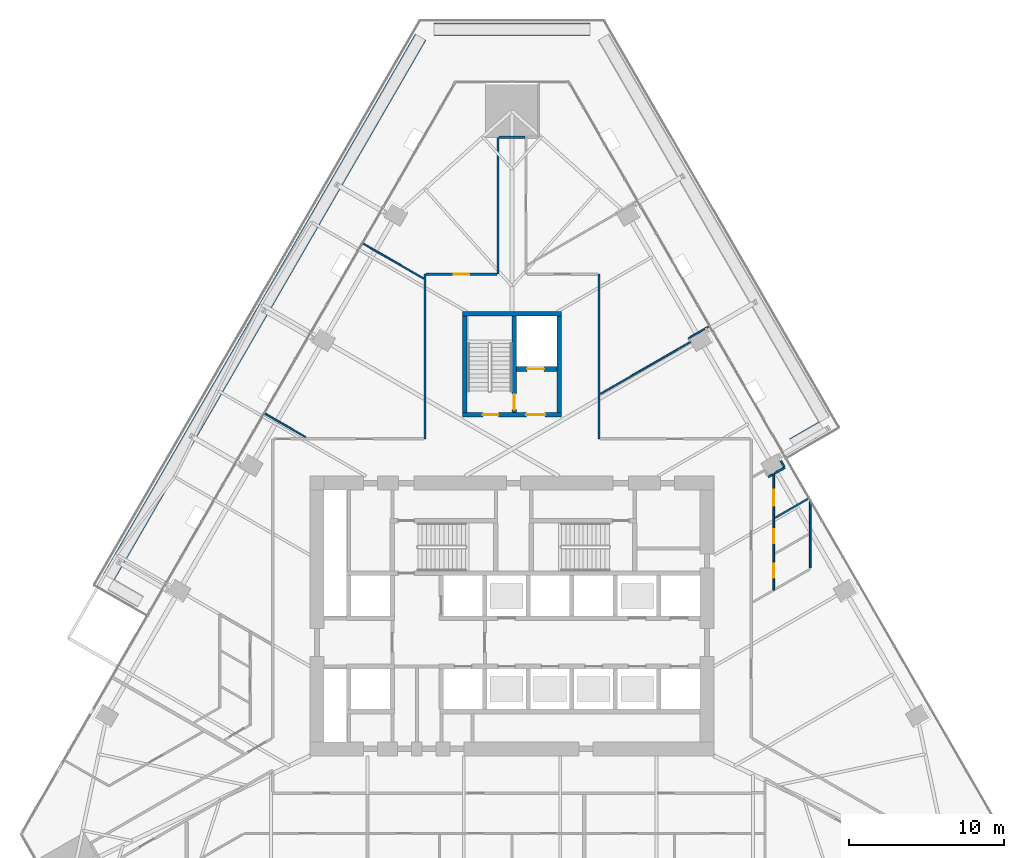
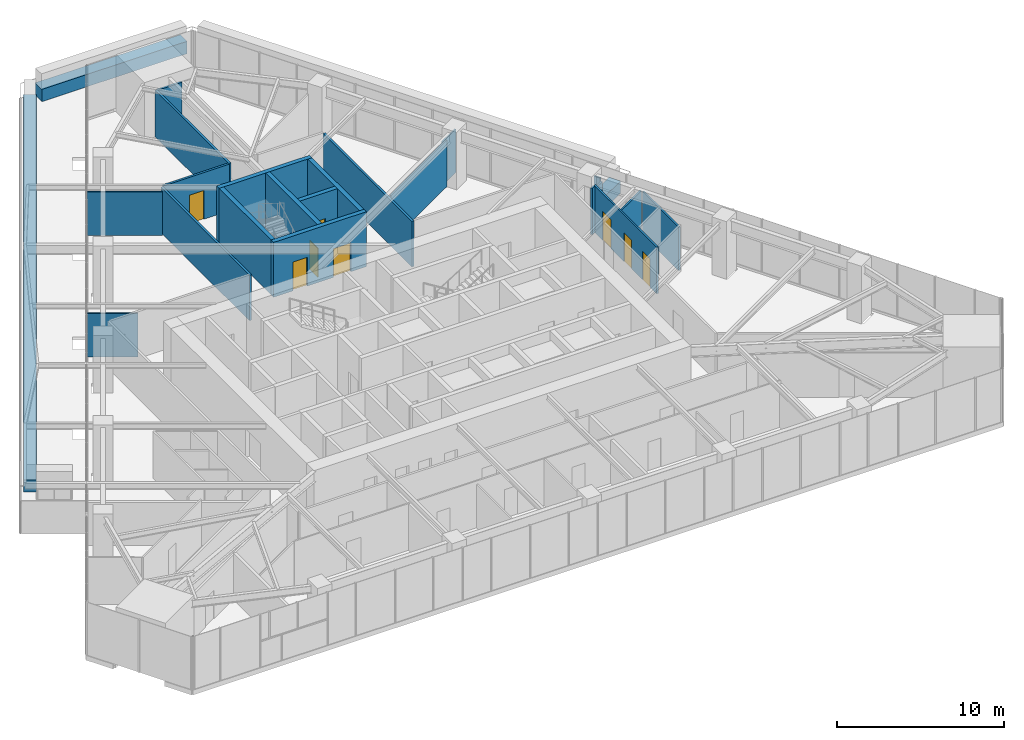
# One storey, part 21 of 26: 24 walls, 8 doors, 8 openings.
"""IFC4 building model written with IfcOpenShell, lengths in metres."""

from ifc_helpers import new_model, si_unit, direction, frame, frame_2d, origin, place, context, subcontext, project, spatial, rectangle, extrude, material, layer, layer_set, type_object, element, fill, save


model = new_model("IFC4")

# Units and contexts
model_context = context("Model", 3, precision=1e-05, world=origin(), true_north=direction((0.0, 1.0)))
body_context = subcontext(model_context, "Body", "Model", "MODEL_VIEW")
ifc_project = project(units=[si_unit("LENGTHUNIT", "METRE"), si_unit("AREAUNIT", "SQUARE_METRE"), si_unit("VOLUMEUNIT", "CUBIC_METRE"), si_unit("PLANEANGLEUNIT", "RADIAN"), si_unit("MASSUNIT", "GRAM", prefix="KILO")], contexts=[model_context])

# Site, building, storey
site_placement = place(None, origin())
site = spatial("IfcSite", under=ifc_project, at=site_placement, CompositionType="ELEMENT")
building_placement = place(site_placement, origin())
building = spatial("IfcBuilding", under=site, at=building_placement, Name="Firuza Gate Tower and Library", CompositionType="ELEMENT")
storey_placement = place(building_placement, frame((0.0, 0.0, 115.60009765625)))
storey = spatial("IfcBuildingStorey", under=building, at=storey_placement, Name="L26", CompositionType="ELEMENT", Elevation=115.60009765625)

# Wall, openings, doors
ifc_material_1 = material(Name="Concrete C80/95", Category="concrete")
ifc_layer_1 = layer(ifc_material_1, 0.300048828125)
ifc_layer_set_1 = layer_set([ifc_layer_1], Name="Core wall 300 C80/95")
wall_type_1 = type_object("IfcWallType", Name="Core wall 300 C80/95", PredefinedType="SHEAR", material=ifc_layer_set_1)
wall_1_placement = place(storey_placement, frame((71.800048828125, 87.949951171875, 0.0), z_axis=(0.0, 0.0, 1.0), x_axis=(1.0, 0.0, 0.0)))
wall_1 = element("IfcWall", 1, at=wall_1_placement, inside=storey, type_object=wall_type_1, Name="Core wall L26 34", PredefinedType="SHEAR", context=body_context, shape_type="SweptSolid", body=[
    extrude(rectangle(XDim=6.39990234375, YDim=0.300048828125, at=frame_2d((3.199951171875, 0.0))), origin(), (0.0, 0.0, 1.0), 4.0),
])
opening_1_placement = place(wall_1_placement, frame((1.324951171875, 0.0, 0.0)))
opening_1 = element("IfcOpeningElement", 2, at=opening_1_placement, cuts=wall_1, Name="Opening L26-K17", PredefinedType="OPENING", context=body_context, shape_type="SweptSolid", body=[
    extrude(rectangle(XDim=1.0, YDim=2.10009765625, at=frame_2d((0.5, 1.050048828125))), frame((0.0, 0.16015625, 0.0), z_axis=(0.0, -1.0, 0.0), x_axis=(1.0, 0.0, 0.0)), (0.0, 0.0, 1.0), 0.320068359375),
])
opening_2_placement = place(wall_1_placement, frame((4.125, 0.0, 0.0)))
opening_2 = element("IfcOpeningElement", 3, at=opening_2_placement, cuts=wall_1, Name="Opening L26-K19", PredefinedType="OPENING", context=body_context, shape_type="SweptSolid", body=[
    extrude(rectangle(XDim=1.199951171875, YDim=2.10009765625, at=frame_2d((0.60009765625, 1.050048828125))), frame((0.0, 0.16015625, 0.0), z_axis=(0.0, -1.0, 0.0), x_axis=(1.0, 0.0, 0.0)), (0.0, 0.0, 1.0), 0.320068359375),
])
ifc_material_2 = material(Name="Steel", Category="steel")
door_type_1 = type_object("IfcDoorType", Name="Fire door 1000x2100 FD90", OperationType="NOTDEFINED", PredefinedType="DOOR", material=ifc_material_2)
door_1_placement = place(opening_1_placement, origin())
door_1 = element("IfcDoor", 4, at=door_1_placement, inside=storey, type_object=door_type_1, Name="Door L26-K17", OperationType="SINGLE_SWING_RIGHT", OverallHeight=2.10009765625, OverallWidth=1.0, PredefinedType="DOOR", context=body_context, shape_type="SweptSolid", body=[
    extrude(rectangle(XDim=1.0, YDim=2.10009765625, at=frame_2d((0.5, 1.050048828125))), frame((0.0, 0.02490234375, 0.0), z_axis=(0.0, -1.0, 0.0), x_axis=(1.0, 0.0, 0.0)), (0.0, 0.0, 1.0), 0.050048828125),
])
fill(opening_1, door_1)
ifc_material_3 = material(Name="Steel", Category="steel")
door_type_2 = type_object("IfcDoorType", Name="Fire door 1200x2100 FD30S", OperationType="NOTDEFINED", PredefinedType="DOOR", material=ifc_material_3)
door_2_placement = place(opening_2_placement, origin())
door_2 = element("IfcDoor", 5, at=door_2_placement, inside=storey, type_object=door_type_2, Name="Door L26-K19", OperationType="SINGLE_SWING_RIGHT", OverallHeight=2.10009765625, OverallWidth=1.199951171875, PredefinedType="DOOR", context=body_context, shape_type="SweptSolid", body=[
    extrude(rectangle(XDim=1.199951171875, YDim=2.10009765625, at=frame_2d((0.60009765625, 1.050048828125))), frame((0.0, 0.02490234375, 0.0), z_axis=(0.0, -1.0, 0.0), x_axis=(1.0, 0.0, 0.0)), (0.0, 0.0, 1.0), 0.050048828125),
])
fill(opening_2, door_2)

# Walls
wall_2_placement = place(storey_placement, frame((71.800048828125, 94.449951171875, 0.0), z_axis=(0.0, 0.0, 1.0), x_axis=(1.0, 0.0, 0.0)))
element("IfcWall", 6, at=wall_2_placement, inside=storey, type_object=wall_type_1, Name="Core wall L26 35", PredefinedType="SHEAR", context=body_context, shape_type="SweptSolid", body=[
    extrude(rectangle(XDim=6.39990234375, YDim=0.300048828125, at=frame_2d((3.199951171875, 0.0))), origin(), (0.0, 0.0, 1.0), 4.0),
])
for number, where, z_axis, x_axis, name in (
    (7, (71.949951171875, 88.10009765625, 0.0), (0.0, 0.0, 1.0), (0.0, 1.0, 0.0), "Core wall L26 36"),
    (8, (78.050048828125, 88.10009765625, 0.0), (0.0, 0.0, 1.0), (0.0, 1.0, 0.0), "Core wall L26 37"),
):
    element("IfcWall", number, at=place(storey_placement, frame(where, z_axis=z_axis, x_axis=x_axis)), inside=storey, type_object=wall_type_1, Name=name, PredefinedType="SHEAR", context=body_context, shape_type="SweptSolid", body=[
        extrude(rectangle(XDim=6.199951171875, YDim=0.300048828125, at=frame_2d((3.10009765625, 0.0))), origin(), (0.0, 0.0, 1.0), 4.0),
    ])

# Wall, opening, door
wall_3_placement = place(storey_placement, frame((75.300048828125, 90.89990234375, 0.0), z_axis=(0.0, 0.0, 1.0), x_axis=(1.0, 0.0, 0.0)))
wall_3 = element("IfcWall", 9, at=wall_3_placement, inside=storey, type_object=wall_type_1, Name="Core wall L26 38", PredefinedType="SHEAR", context=body_context, shape_type="SweptSolid", body=[
    extrude(rectangle(XDim=2.599853515625, YDim=0.300048828125, at=frame_2d((1.2998046875, 0.0))), origin(), (0.0, 0.0, 1.0), 4.0),
])
opening_3_placement = place(wall_3_placement, frame((0.675048828125, 0.0, 0.0)))
opening_3 = element("IfcOpeningElement", 10, at=opening_3_placement, cuts=wall_3, Name="Opening LD-SV1-L26", PredefinedType="OPENING", context=body_context, shape_type="SweptSolid", body=[
    extrude(rectangle(XDim=1.10009765625, YDim=2.10009765625, at=frame_2d((0.550048828125, 1.050048828125))), frame((0.0, 0.16015625, 0.0), z_axis=(0.0, -1.0, 0.0), x_axis=(1.0, 0.0, 0.0)), (0.0, 0.0, 1.0), 0.320068359375),
])
ifc_material_4 = material(Name="Stainless steel", Category="steel")
door_type_3 = type_object("IfcDoorType", Name="Lift landing door 1100x2100", OperationType="DOUBLE_DOOR_SLIDING", PredefinedType="DOOR", material=ifc_material_4)
door_3_placement = place(opening_3_placement, origin())
door_3 = element("IfcDoor", 11, at=door_3_placement, inside=storey, type_object=door_type_3, Name="Landing door SV1 L26", OperationType="DOUBLE_DOOR_SLIDING", OverallHeight=2.10009765625, OverallWidth=1.10009765625, PredefinedType="DOOR", context=body_context, shape_type="SweptSolid", body=[
    extrude(rectangle(XDim=1.10009765625, YDim=2.10009765625, at=frame_2d((0.550048828125, 1.050048828125))), frame((0.0, 0.02490234375, 0.0), z_axis=(0.0, -1.0, 0.0), x_axis=(1.0, 0.0, 0.0)), (0.0, 0.0, 1.0), 0.050048828125),
])
fill(opening_3, door_3)

wall_4_placement = place(storey_placement, frame((75.14990234375, 88.10009765625, 0.0), z_axis=(0.0, 0.0, 1.0), x_axis=(0.0, 1.0, 0.0)))
wall_4 = element("IfcWall", 12, at=wall_4_placement, inside=storey, type_object=wall_type_1, Name="Core wall L26 39", PredefinedType="SHEAR", context=body_context, shape_type="SweptSolid", body=[
    extrude(rectangle(XDim=6.199951171875, YDim=0.300048828125, at=frame_2d((3.10009765625, 0.0))), origin(), (0.0, 0.0, 1.0), 4.0),
])
opening_4_placement = place(wall_4_placement, frame((0.18505859375, 0.0, 0.0)))
opening_4 = element("IfcOpeningElement", 13, at=opening_4_placement, cuts=wall_4, Name="Opening L26-K18", PredefinedType="OPENING", context=body_context, shape_type="SweptSolid", body=[
    extrude(rectangle(XDim=1.0, YDim=2.10009765625, at=frame_2d((0.5, 1.050048828125))), frame((0.0, 0.16015625, 0.0), z_axis=(0.0, -1.0, 0.0), x_axis=(1.0, 0.0, 0.0)), (0.0, 0.0, 1.0), 0.320068359375),
])
door_4_placement = place(opening_4_placement, origin())
door_4 = element("IfcDoor", 14, at=door_4_placement, inside=storey, type_object=door_type_1, Name="Door L26-K18", OperationType="SINGLE_SWING_LEFT", OverallHeight=2.10009765625, OverallWidth=1.0, PredefinedType="DOOR", context=body_context, shape_type="SweptSolid", body=[
    extrude(rectangle(XDim=1.0, YDim=2.10009765625, at=frame_2d((0.5, 1.050048828125))), frame((0.0, 0.02490234375, 0.0), z_axis=(0.0, -1.0, 0.0), x_axis=(1.0, 0.0, 0.0)), (0.0, 0.0, 1.0), 0.050048828125),
])
fill(opening_4, door_4)

ifc_material_5 = material(Name="Gypsum board partition")
ifc_layer_2 = layer(ifc_material_5, 0.14990234375)
ifc_layer_set_2 = layer_set([ifc_layer_2], Name="Corridor wall 150 double board on steel studs")
wall_type_2 = type_object("IfcWallType", Name="Corridor wall 150 double board on steel studs", PredefinedType="PARTITIONING", material=ifc_layer_set_2)
wall_5_placement = place(storey_placement, frame((69.4755859375, 97.0, 0.0), z_axis=(0.0, 0.0, 1.0), x_axis=(1.0, 0.0, 0.0)))
wall_5 = element("IfcWall", 15, at=wall_5_placement, inside=storey, type_object=wall_type_2, Name="f:L26:w007", PredefinedType="PARTITIONING", context=body_context, shape_type="SweptSolid", body=[
    extrude(rectangle(XDim=4.54931640625, YDim=0.14990234375, at=frame_2d((2.274658203125, 0.0))), origin(), (0.0, 0.0, 1.0), 3.39990234375),
])
opening_5_placement = place(wall_5_placement, frame((1.774658203125, 0.0, 0.0)))
opening_5 = element("IfcOpeningElement", 16, at=opening_5_placement, cuts=wall_5, Name="Opening L26-13", PredefinedType="OPENING", context=body_context, shape_type="SweptSolid", body=[
    extrude(rectangle(XDim=1.0, YDim=2.10009765625, at=frame_2d((0.5, 1.050048828125))), frame((0.0, 0.0849609375, 0.0), z_axis=(0.0, -1.0, 0.0), x_axis=(1.0, 0.0, 0.0)), (0.0, 0.0, 1.0), 0.169921875),
])
ifc_material_6 = material(Name="Steel door and timber leaf", Category="steel")
door_type_4 = type_object("IfcDoorType", Name="Fire door 1000 x 2100 steel frame, timber leaf", OperationType="NOTDEFINED", PredefinedType="DOOR", material=ifc_material_6)
door_5_placement = place(opening_5_placement, origin())
door_5 = element("IfcDoor", 17, at=door_5_placement, inside=storey, type_object=door_type_4, Name="f:L26:d013", OperationType="SINGLE_SWING_LEFT", OverallHeight=2.10009765625, OverallWidth=1.0, PredefinedType="DOOR", context=body_context, shape_type="SweptSolid", body=[
    extrude(rectangle(XDim=1.0, YDim=2.10009765625, at=frame_2d((0.5, 1.050048828125))), frame((0.0, 0.02490234375, 0.0), z_axis=(0.0, -1.0, 0.0), x_axis=(1.0, 0.0, 0.0)), (0.0, 0.0, 1.0), 0.050048828125),
])
fill(opening_5, door_5)

# Walls
wall_6_placement = place(storey_placement, frame((74.175537109375, 105.81201171875, 0.0), z_axis=(0.0, 0.0, 1.0), x_axis=(1.0, 0.0, 0.0)))
element("IfcWall", 18, at=wall_6_placement, inside=storey, type_object=wall_type_2, Name="f:L26:w009", PredefinedType="PARTITIONING", context=body_context, shape_type="SweptSolid", body=[
    extrude(rectangle(XDim=1.6494140625, YDim=0.14990234375, at=frame_2d((0.82470703125, 0.0))), origin(), (0.0, 0.0, 1.0), 3.39697265625),
])
wall_7_placement = place(storey_placement, frame((80.60009765625, 86.39990234375, 0.0), z_axis=(0.0, 0.0, 1.0), x_axis=(0.0, 1.0, 0.0)))
element("IfcWall", 19, at=wall_7_placement, inside=storey, type_object=wall_type_2, Name="f:L26:w031", PredefinedType="PARTITIONING", context=body_context, shape_type="SweptSolid", body=[
    extrude(rectangle(XDim=10.599609375, YDim=0.14990234375, at=frame_2d((5.2998046875, 0.0))), origin(), (0.0, 0.0, 1.0), 3.322021484375),
])
wall_8_placement = place(storey_placement, frame((74.10009765625, 97.0, 0.0), z_axis=(0.0, 0.0, 1.0), x_axis=(0.0, 1.0, 0.0)))
element("IfcWall", 20, at=wall_8_placement, inside=storey, type_object=wall_type_2, Name="f:L26:w037", PredefinedType="PARTITIONING", context=body_context, shape_type="SweptSolid", body=[
    extrude(rectangle(XDim=8.8115234375, YDim=0.14990234375, at=frame_2d((4.40576171875, 0.0))), origin(), (0.0, 0.0, 1.0), 3.39990234375),
])
wall_9_placement = place(storey_placement, frame((69.39990234375, 86.39990234375, 0.0), z_axis=(0.0, 0.0, 1.0), x_axis=(0.0, 1.0, 0.0)))
element("IfcWall", 21, at=wall_9_placement, inside=storey, type_object=wall_type_2, Name="f:L26:w039", PredefinedType="PARTITIONING", context=body_context, shape_type="SweptSolid", body=[
    extrude(rectangle(XDim=10.599609375, YDim=0.14990234375, at=frame_2d((5.2998046875, 0.0))), origin(), (0.0, 0.0, 1.0), 3.322021484375),
])
ifc_material_7 = material(Name="Gypsum board partition")
ifc_layer_3 = layer(ifc_material_7, 0.10009765625)
ifc_layer_set_3 = layer_set([ifc_layer_3], Name="Partition 100 gypsum board on steel studs")
wall_type_3 = type_object("IfcWallType", Name="Partition 100 gypsum board on steel studs", PredefinedType="PARTITIONING", material=ifc_layer_set_3)
wall_10_placement = place(storey_placement, frame((80.700927734375, 89.3017578125, 0.0), z_axis=(0.0, 0.0, 1.0), x_axis=(0.866032345022, 0.499987977232, 0.0)))
element("IfcWall", 22, at=wall_10_placement, inside=storey, type_object=wall_type_3, Name="f:L26:w021", PredefinedType="PARTITIONING", context=body_context, shape_type="SweptSolid", body=[
    extrude(rectangle(XDim=6.685791015625, YDim=0.10009765625, at=frame_2d((3.3427734375, 0.0))), origin(), (0.0, 0.0, 1.0), 3.39990234375),
])
wall_11_placement = place(storey_placement, frame((86.3564453125, 92.878662109375, 0.0), z_axis=(0.0, 0.0, 1.0), x_axis=(0.866018739521, 0.500011542666, 0.0)))
element("IfcWall", 23, at=wall_11_placement, inside=storey, type_object=wall_type_3, Name="f:L26:w022", PredefinedType="PARTITIONING", context=body_context, shape_type="SweptSolid", body=[
    extrude(rectangle(XDim=1.5595703125, YDim=0.10009765625, at=frame_2d((0.77978515625, 0.0))), origin(), (0.0, 0.0, 1.0), 3.164794921875),
])
wall_12_placement = place(storey_placement, frame((69.298828125, 96.72998046875, 0.0), z_axis=(0.0, 0.0, 1.0), x_axis=(-0.866033061154, 0.499986736812, 0.0)))
element("IfcWall", 24, at=wall_12_placement, inside=storey, type_object=wall_type_3, Name="f:L26:w051", PredefinedType="PARTITIONING", context=body_context, shape_type="SweptSolid", body=[
    extrude(rectangle(XDim=4.53125, YDim=0.10009765625, at=frame_2d((2.265625, 0.0))), origin(), (0.0, 0.0, 1.0), 3.164794921875),
])
wall_13_placement = place(storey_placement, frame((61.71044921875, 86.520263671875, 0.0), z_axis=(0.0, 0.0, 1.0), x_axis=(-0.866038331766, 0.499977607411, 0.0)))
element("IfcWall", 25, at=wall_13_placement, inside=storey, type_object=wall_type_3, Name="f:L26:w052", PredefinedType="PARTITIONING", context=body_context, shape_type="SweptSolid", body=[
    extrude(rectangle(XDim=3.064697265625, YDim=0.10009765625, at=frame_2d((1.5322265625, 0.0))), origin(), (0.0, 0.0, 1.0), 3.164794921875),
])
ifc_material_8 = material(Name="Concrete C40/50", Category="concrete")
ifc_layer_4 = layer(ifc_material_8, 0.800048828125)
ifc_layer_set_4 = layer_set([ifc_layer_4], Name="Planter wall 800")
wall_type_4 = type_object("IfcWallType", Name="Planter wall 800", PredefinedType="SOLIDWALL", material=ifc_layer_set_4)
wall_14_placement = place(storey_placement, frame((93.06201171875, 86.063232421875, 0.0), z_axis=(0.0, 0.0, 1.0), x_axis=(0.86605622881, 0.499946605688, 0.0)))
element("IfcWall", 26, at=wall_14_placement, inside=storey, type_object=wall_type_4, Name="PLANTER L26 1", PredefinedType="SOLIDWALL", context=body_context, shape_type="SweptSolid", body=[
    extrude(rectangle(XDim=2.199951171875, YDim=0.800048828125, at=frame_2d((1.10009765625, 0.0))), origin(), (0.0, 0.0, 1.0), 0.89990234375),
])
wall_15_placement = place(storey_placement, frame((80.009521484375, 112.76220703125, 0.0), z_axis=(0.0, 0.0, 1.0), x_axis=(-1.0, 0.0, 0.0)))
element("IfcWall", 27, at=wall_15_placement, inside=storey, type_object=wall_type_4, Name="PLANTER L26 3", PredefinedType="SOLIDWALL", context=body_context, shape_type="SweptSolid", body=[
    extrude(rectangle(XDim=10.01904296875, YDim=0.800048828125, at=frame_2d((5.009521484375, 0.0))), origin(), (0.0, 0.0, 1.0), 0.89990234375),
])
wall_16_placement = place(storey_placement, frame((69.116943359375, 112.2578125, 0.0), z_axis=(0.0, 0.0, 1.0), x_axis=(-0.5000008632, -0.866024905415, 0.0)))
element("IfcWall", 28, at=wall_16_placement, inside=storey, type_object=wall_type_4, Name="PLANTER L26 4", PredefinedType="SOLIDWALL", context=body_context, shape_type="SweptSolid", body=[
    extrude(rectangle(XDim=40.1298828125, YDim=0.800048828125, at=frame_2d((20.06494140625, 0.0))), origin(), (0.0, 0.0, 1.0), 0.89990234375),
])
ifc_material_9 = material(Name="Gypsum board partition")
ifc_layer_5 = layer(ifc_material_9, 0.1201171875)
ifc_layer_set_5 = layer_set([ifc_layer_5], Name="Wet-area partition 120 moisture-resistant board")
wall_type_5 = type_object("IfcWallType", Name="Wet-area partition 120 moisture-resistant board", PredefinedType="PARTITIONING", material=ifc_layer_set_5)
wall_17_placement = place(storey_placement, frame((91.944580078125, 81.329345703125, 0.0), z_axis=(0.0, 0.0, 1.0), x_axis=(0.866024239756, 0.50000201615, 0.0)))
element("IfcWall", 29, at=wall_17_placement, inside=storey, type_object=wall_type_5, Name="f:L26:w013", PredefinedType="PARTITIONING", context=body_context, shape_type="SweptSolid", body=[
    extrude(rectangle(XDim=2.49462890625, YDim=0.1201171875, at=frame_2d((1.247314453125, 0.0))), origin(), (0.0, 0.0, 1.0), 3.164794921875),
])
wall_18_placement = place(storey_placement, frame((91.508544921875, 83.953857421875, 0.0), z_axis=(0.0, 0.0, 1.0), x_axis=(0.865905532852, 0.500207565094, 0.0)))
element("IfcWall", 30, at=wall_18_placement, inside=storey, type_object=wall_type_5, Name="f:L26:w015", PredefinedType="PARTITIONING", context=body_context, shape_type="SweptSolid", body=[
    extrude(rectangle(XDim=0.29052734375, YDim=0.1201171875, at=frame_2d((0.145263671875, 0.0))), origin(), (0.0, 0.0, 1.0), 3.39990234375),
])
wall_19_placement = place(storey_placement, frame((94.199951171875, 78.095947265625, 0.0), z_axis=(0.0, 0.0, 1.0), x_axis=(0.0, 1.0, 0.0)))
element("IfcWall", 31, at=wall_19_placement, inside=storey, type_object=wall_type_5, Name="f:L26:w026", PredefinedType="PARTITIONING", context=body_context, shape_type="SweptSolid", body=[
    extrude(rectangle(XDim=4.316162109375, YDim=0.1201171875, at=frame_2d((2.158203125, 0.0))), origin(), (0.0, 0.0, 1.0), 3.164794921875),
])

# Wall, openings, doors
wall_20_placement = place(storey_placement, frame((91.85009765625, 76.669921875, 0.0), z_axis=(0.0, 0.0, 1.0), x_axis=(0.0, 1.0, 0.0)))
wall_20 = element("IfcWall", 32, at=wall_20_placement, inside=storey, type_object=wall_type_5, Name="f:L26:w027", PredefinedType="PARTITIONING", context=body_context, shape_type="SweptSolid", body=[
    extrude(rectangle(XDim=7.481201171875, YDim=0.1201171875, at=frame_2d((3.74072265625, 0.0))), origin(), (0.0, 0.0, 1.0), 3.39990234375),
])
opening_6_placement = place(wall_20_placement, frame((0.802978515625, 0.0, 0.0)))
opening_6 = element("IfcOpeningElement", 33, at=opening_6_placement, cuts=wall_20, Name="Opening L26-19", PredefinedType="OPENING", context=body_context, shape_type="SweptSolid", body=[
    extrude(rectangle(XDim=0.89990234375, YDim=2.10009765625, at=frame_2d((0.449951171875, 1.050048828125))), frame((0.0, 0.070068359375, 0.0), z_axis=(0.0, -1.0, 0.0), x_axis=(1.0, 0.0, 0.0)), (0.0, 0.0, 1.0), 0.14013671875),
])
opening_7_placement = place(wall_20_placement, frame((3.00390625, 0.0, 0.0)))
opening_7 = element("IfcOpeningElement", 34, at=opening_7_placement, cuts=wall_20, Name="Opening L26-20", PredefinedType="OPENING", context=body_context, shape_type="SweptSolid", body=[
    extrude(rectangle(XDim=0.89990234375, YDim=2.10009765625, at=frame_2d((0.449951171875, 1.050048828125))), frame((0.0, 0.070068359375, 0.0), z_axis=(0.0, -1.0, 0.0), x_axis=(1.0, 0.0, 0.0)), (0.0, 0.0, 1.0), 0.14013671875),
])
opening_8_placement = place(wall_20_placement, frame((5.44140625, 0.0, 0.0)))
opening_8 = element("IfcOpeningElement", 35, at=opening_8_placement, cuts=wall_20, Name="Opening L26-21", PredefinedType="OPENING", context=body_context, shape_type="SweptSolid", body=[
    extrude(rectangle(XDim=1.0, YDim=2.10009765625, at=frame_2d((0.5, 1.050048828125))), frame((0.0, 0.070068359375, 0.0), z_axis=(0.0, -1.0, 0.0), x_axis=(1.0, 0.0, 0.0)), (0.0, 0.0, 1.0), 0.14013671875),
])
ifc_material_10 = material(Name="Timber door", Category="wood")
door_type_5 = type_object("IfcDoorType", Name="Door 1000 x 2100 timber leaf", OperationType="NOTDEFINED", PredefinedType="DOOR", material=ifc_material_10)
door_6_placement = place(opening_8_placement, origin())
door_6 = element("IfcDoor", 36, at=door_6_placement, inside=storey, type_object=door_type_5, Name="f:L26:d021", OperationType="SINGLE_SWING_LEFT", OverallHeight=2.10009765625, OverallWidth=1.0, PredefinedType="DOOR", context=body_context, shape_type="SweptSolid", body=[
    extrude(rectangle(XDim=1.0, YDim=2.10009765625, at=frame_2d((0.5, 1.050048828125))), frame((0.0, 0.02490234375, 0.0), z_axis=(0.0, -1.0, 0.0), x_axis=(1.0, 0.0, 0.0)), (0.0, 0.0, 1.0), 0.050048828125),
])
fill(opening_8, door_6)
ifc_material_11 = material(Name="Timber door", Category="wood")
door_type_6 = type_object("IfcDoorType", Name="Door 900 x 2100 timber leaf", OperationType="NOTDEFINED", PredefinedType="DOOR", material=ifc_material_11)
door_7_placement = place(opening_6_placement, origin())
door_7 = element("IfcDoor", 37, at=door_7_placement, inside=storey, type_object=door_type_6, Name="f:L26:d019", OperationType="SINGLE_SWING_LEFT", OverallHeight=2.10009765625, OverallWidth=0.89990234375, PredefinedType="DOOR", context=body_context, shape_type="SweptSolid", body=[
    extrude(rectangle(XDim=0.89990234375, YDim=2.10009765625, at=frame_2d((0.449951171875, 1.050048828125))), frame((0.0, 0.02490234375, 0.0), z_axis=(0.0, -1.0, 0.0), x_axis=(1.0, 0.0, 0.0)), (0.0, 0.0, 1.0), 0.050048828125),
])
fill(opening_6, door_7)
door_8_placement = place(opening_7_placement, origin())
door_8 = element("IfcDoor", 38, at=door_8_placement, inside=storey, type_object=door_type_6, Name="f:L26:d020", OperationType="SINGLE_SWING_RIGHT", OverallHeight=2.10009765625, OverallWidth=0.89990234375, PredefinedType="DOOR", context=body_context, shape_type="SweptSolid", body=[
    extrude(rectangle(XDim=0.89990234375, YDim=2.10009765625, at=frame_2d((0.449951171875, 1.050048828125))), frame((0.0, 0.02490234375, 0.0), z_axis=(0.0, -1.0, 0.0), x_axis=(1.0, 0.0, 0.0)), (0.0, 0.0, 1.0), 0.050048828125),
])
fill(opening_7, door_8)

# Walls
wall_21_placement = place(storey_placement, frame((92.517822265625, 84.6064453125, 0.0), z_axis=(0.0, 0.0, 1.0), x_axis=(-0.499962889934, 0.866046828231, 0.0)))
element("IfcWall", 39, at=wall_21_placement, inside=storey, type_object=wall_type_5, Name="f:L26:w047", PredefinedType="PARTITIONING", context=body_context, shape_type="SweptSolid", body=[
    extrude(rectangle(XDim=0.439453125, YDim=0.1201171875, at=frame_2d((0.2197265625, 0.0))), origin(), (0.0, 0.0, 1.0), 3.39990234375),
])
wall_22_placement = place(storey_placement, frame((91.89501953125, 84.177001953125, 0.0), z_axis=(0.0, 0.0, 1.0), x_axis=(0.865980481111, 0.500077800282, 0.0)))
element("IfcWall", 40, at=wall_22_placement, inside=storey, type_object=wall_type_5, Name="f:L26:w064", PredefinedType="PARTITIONING", context=body_context, shape_type="SweptSolid", body=[
    extrude(rectangle(XDim=0.75341796875, YDim=0.1201171875, at=frame_2d((0.376708984375, 0.0))), origin(), (0.0, 0.0, 1.0), 3.164794921875),
])

save(model, "model.ifc")
